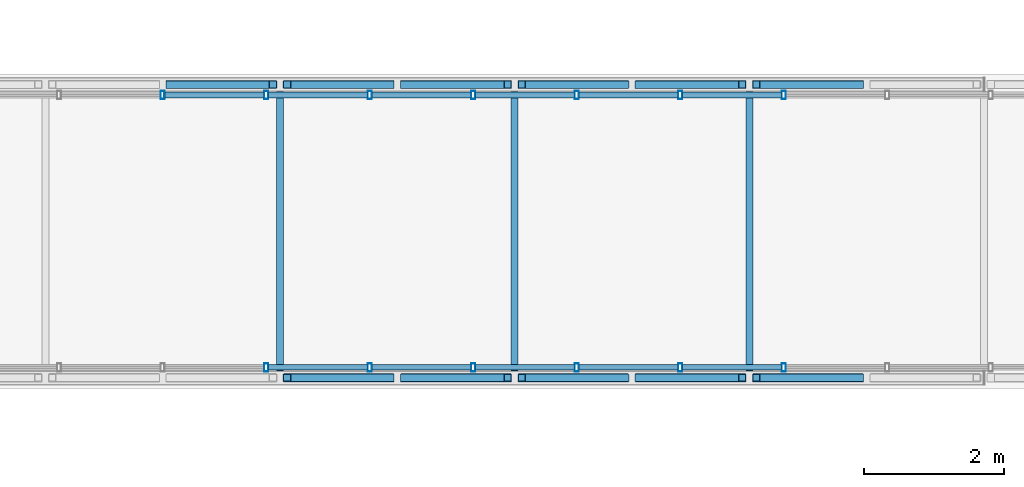
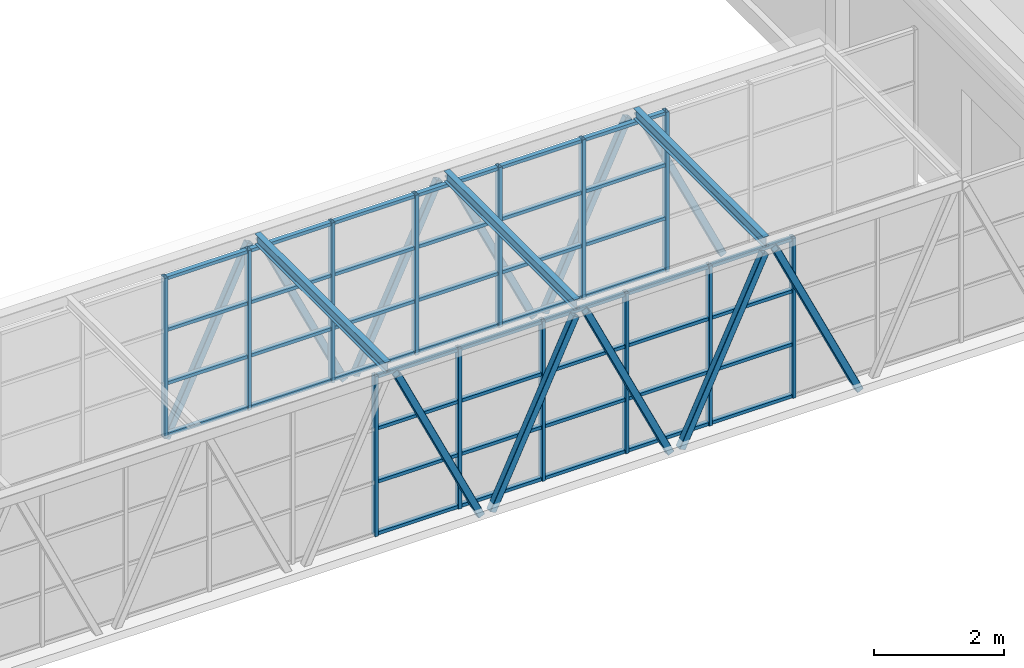
# One storey, part 58 of 149: 68 members, 3 beams, 2 elements without a shape of their own.
"""IFC4 building model written with IfcOpenShell, lengths in metres."""

from ifc_helpers import new_model, si_unit, direction, frame, origin, origin_2d, place, context, subcontext, project, spatial, hollow_rectangle, i_section, extrude, material, material_profile, profile_set, type_object, element, aggregate, save


model = new_model("IFC4")

# Units and contexts
model_context = context("Model", 3, precision=1e-05, world=origin(), true_north=direction((0.0, 1.0)))
body_context = subcontext(model_context, "Body", "Model", "MODEL_VIEW")
ifc_project = project(units=[si_unit("LENGTHUNIT", "METRE"), si_unit("AREAUNIT", "SQUARE_METRE"), si_unit("VOLUMEUNIT", "CUBIC_METRE"), si_unit("PLANEANGLEUNIT", "RADIAN"), si_unit("MASSUNIT", "GRAM", prefix="KILO")], contexts=[model_context])

# Site, building, storey
site_placement = place(None, origin())
site = spatial("IfcSite", under=ifc_project, at=site_placement, CompositionType="ELEMENT")
building_placement = place(site_placement, origin())
building = spatial("IfcBuilding", under=site, at=building_placement, Name="Kallimachos Central Library", CompositionType="ELEMENT")
storey_placement = place(building_placement, frame((0.0, 0.0, 9.89990234375)))
storey = spatial("IfcBuildingStorey", under=building, at=storey_placement, Name="L02", CompositionType="ELEMENT", Elevation=9.89990234375)

# Curtain wall, members
ifc_material_1 = material(Name="Aluminium and laminated glass", Category="aluminium")
curtain_wall_type = type_object("IfcCurtainWallType", Name="Link glazed wall", PredefinedType="NOTDEFINED", material=ifc_material_1)
curtain_wall_1_placement = place(storey_placement, origin())
curtain_wall_1 = element("IfcCurtainWall", 1, at=curtain_wall_1_placement, inside=storey, type_object=curtain_wall_type, Name="V1 to V3 bridge glazed side", PredefinedType="NOTDEFINED")
ifc_material_2 = material(Name="Anodised aluminium", Category="aluminium")
ifc_material_profile_1 = material_profile(ifc_material_2, hollow_rectangle(XDim=0.06005859375, YDim=0.1201171875, WallThickness=0.00390625, at=origin_2d()), Name="ALU MULLION 60x120")
ifc_profile_set_1 = profile_set([ifc_material_profile_1], Name="Anodised aluminium")
member_type_1 = type_object("IfcMemberType", Name="ALU MULLION 60x120 mullion", PredefinedType="MULLION", material=ifc_profile_set_1)
member_1_placement = place(storey_placement, frame((125.744384765625, 98.550048828125, 0.0), z_axis=(0.0, 0.0, 1.0), x_axis=(1.0, 0.0, 0.0)))
member_1 = element("IfcMember", 2, at=member_1_placement, type_object=member_type_1, Name="CW74 mullion 11", PredefinedType="MULLION", context=body_context, shape_type="SweptSolid", body=[
    extrude(hollow_rectangle(XDim=0.06005859375, YDim=0.1201171875, WallThickness=0.00390625, at=origin_2d()), origin(), (0.0, 0.0, 1.0), 3.0),
])
member_2_placement = place(storey_placement, frame((127.226318359375, 98.550048828125, 0.0), z_axis=(0.0, 0.0, 1.0), x_axis=(1.0, 0.0, 0.0)))
member_2 = element("IfcMember", 3, at=member_2_placement, type_object=member_type_1, Name="CW74 mullion 12", PredefinedType="MULLION", context=body_context, shape_type="SweptSolid", body=[
    extrude(hollow_rectangle(XDim=0.06005859375, YDim=0.1201171875, WallThickness=0.00390625, at=origin_2d()), origin(), (0.0, 0.0, 1.0), 3.0),
])
member_3_placement = place(storey_placement, frame((128.708251953125, 98.550048828125, 0.0), z_axis=(0.0, 0.0, 1.0), x_axis=(1.0, 0.0, 0.0)))
member_3 = element("IfcMember", 4, at=member_3_placement, type_object=member_type_1, Name="CW74 mullion 13", PredefinedType="MULLION", context=body_context, shape_type="SweptSolid", body=[
    extrude(hollow_rectangle(XDim=0.06005859375, YDim=0.1201171875, WallThickness=0.00390625, at=origin_2d()), origin(), (0.0, 0.0, 1.0), 3.0),
])
member_4_placement = place(storey_placement, frame((130.190185546875, 98.550048828125, 0.0), z_axis=(0.0, 0.0, 1.0), x_axis=(1.0, 0.0, 0.0)))
member_4 = element("IfcMember", 5, at=member_4_placement, type_object=member_type_1, Name="CW74 mullion 14", PredefinedType="MULLION", context=body_context, shape_type="SweptSolid", body=[
    extrude(hollow_rectangle(XDim=0.06005859375, YDim=0.1201171875, WallThickness=0.00390625, at=origin_2d()), origin(), (0.0, 0.0, 1.0), 3.0),
])
member_5_placement = place(storey_placement, frame((131.672119140625, 98.550048828125, 0.0), z_axis=(0.0, 0.0, 1.0), x_axis=(1.0, 0.0, 0.0)))
member_5 = element("IfcMember", 6, at=member_5_placement, type_object=member_type_1, Name="CW74 mullion 15", PredefinedType="MULLION", context=body_context, shape_type="SweptSolid", body=[
    extrude(hollow_rectangle(XDim=0.06005859375, YDim=0.1201171875, WallThickness=0.00390625, at=origin_2d()), origin(), (0.0, 0.0, 1.0), 3.0),
])
member_6_placement = place(storey_placement, frame((133.154052734375, 98.550048828125, 0.0), z_axis=(0.0, 0.0, 1.0), x_axis=(1.0, 0.0, 0.0)))
member_6 = element("IfcMember", 7, at=member_6_placement, type_object=member_type_1, Name="CW74 mullion 16", PredefinedType="MULLION", context=body_context, shape_type="SweptSolid", body=[
    extrude(hollow_rectangle(XDim=0.06005859375, YDim=0.1201171875, WallThickness=0.00390625, at=origin_2d()), origin(), (0.0, 0.0, 1.0), 3.0),
])

curtain_wall_2_placement = place(storey_placement, origin())
curtain_wall_2 = element("IfcCurtainWall", 8, at=curtain_wall_2_placement, inside=storey, type_object=curtain_wall_type, Name="V1 to V3 bridge glazed side", PredefinedType="NOTDEFINED")
member_7_placement = place(storey_placement, frame((124.262451171875, 102.449951171875, 0.0), z_axis=(0.0, 0.0, 1.0), x_axis=(1.0, 0.0, 0.0)))
member_7 = element("IfcMember", 9, at=member_7_placement, type_object=member_type_1, Name="CW75 mullion 10", PredefinedType="MULLION", context=body_context, shape_type="SweptSolid", body=[
    extrude(hollow_rectangle(XDim=0.06005859375, YDim=0.1201171875, WallThickness=0.00390625, at=origin_2d()), origin(), (0.0, 0.0, 1.0), 3.0),
])
member_8_placement = place(storey_placement, frame((125.744384765625, 102.449951171875, 0.0), z_axis=(0.0, 0.0, 1.0), x_axis=(1.0, 0.0, 0.0)))
member_8 = element("IfcMember", 10, at=member_8_placement, type_object=member_type_1, Name="CW75 mullion 11", PredefinedType="MULLION", context=body_context, shape_type="SweptSolid", body=[
    extrude(hollow_rectangle(XDim=0.06005859375, YDim=0.1201171875, WallThickness=0.00390625, at=origin_2d()), origin(), (0.0, 0.0, 1.0), 3.0),
])
member_9_placement = place(storey_placement, frame((127.226318359375, 102.449951171875, 0.0), z_axis=(0.0, 0.0, 1.0), x_axis=(1.0, 0.0, 0.0)))
member_9 = element("IfcMember", 11, at=member_9_placement, type_object=member_type_1, Name="CW75 mullion 12", PredefinedType="MULLION", context=body_context, shape_type="SweptSolid", body=[
    extrude(hollow_rectangle(XDim=0.06005859375, YDim=0.1201171875, WallThickness=0.00390625, at=origin_2d()), origin(), (0.0, 0.0, 1.0), 3.0),
])
member_10_placement = place(storey_placement, frame((128.708251953125, 102.449951171875, 0.0), z_axis=(0.0, 0.0, 1.0), x_axis=(1.0, 0.0, 0.0)))
member_10 = element("IfcMember", 12, at=member_10_placement, type_object=member_type_1, Name="CW75 mullion 13", PredefinedType="MULLION", context=body_context, shape_type="SweptSolid", body=[
    extrude(hollow_rectangle(XDim=0.06005859375, YDim=0.1201171875, WallThickness=0.00390625, at=origin_2d()), origin(), (0.0, 0.0, 1.0), 3.0),
])
member_11_placement = place(storey_placement, frame((130.190185546875, 102.449951171875, 0.0), z_axis=(0.0, 0.0, 1.0), x_axis=(1.0, 0.0, 0.0)))
member_11 = element("IfcMember", 13, at=member_11_placement, type_object=member_type_1, Name="CW75 mullion 14", PredefinedType="MULLION", context=body_context, shape_type="SweptSolid", body=[
    extrude(hollow_rectangle(XDim=0.06005859375, YDim=0.1201171875, WallThickness=0.00390625, at=origin_2d()), origin(), (0.0, 0.0, 1.0), 3.0),
])
member_12_placement = place(storey_placement, frame((131.672119140625, 102.449951171875, 0.0), z_axis=(0.0, 0.0, 1.0), x_axis=(1.0, 0.0, 0.0)))
member_12 = element("IfcMember", 14, at=member_12_placement, type_object=member_type_1, Name="CW75 mullion 15", PredefinedType="MULLION", context=body_context, shape_type="SweptSolid", body=[
    extrude(hollow_rectangle(XDim=0.06005859375, YDim=0.1201171875, WallThickness=0.00390625, at=origin_2d()), origin(), (0.0, 0.0, 1.0), 3.0),
])
member_13_placement = place(storey_placement, frame((133.154052734375, 102.449951171875, 0.0), z_axis=(0.0, 0.0, 1.0), x_axis=(1.0, 0.0, 0.0)))
member_13 = element("IfcMember", 15, at=member_13_placement, type_object=member_type_1, Name="CW75 mullion 16", PredefinedType="MULLION", context=body_context, shape_type="SweptSolid", body=[
    extrude(hollow_rectangle(XDim=0.06005859375, YDim=0.1201171875, WallThickness=0.00390625, at=origin_2d()), origin(), (0.0, 0.0, 1.0), 3.0),
])

# Member
ifc_material_3 = material(Name="Anodised aluminium", Category="aluminium")
ifc_material_profile_2 = material_profile(ifc_material_3, hollow_rectangle(XDim=0.06005859375, YDim=0.080078125, WallThickness=0.00390625, at=origin_2d()), Name="ALU TRANSOM 60x80")
ifc_profile_set_2 = profile_set([ifc_material_profile_2], Name="Anodised aluminium")
member_type_2 = type_object("IfcMemberType", Name="ALU TRANSOM 60x80 transom", PredefinedType="USERDEFINED", material=ifc_profile_set_2)
member_14_placement = place(storey_placement, frame((125.7744140625, 98.550048828125, 0.030029296875), z_axis=(1.0, 0.0, 0.0), x_axis=(0.0, 0.0, 1.0)))
member_14 = element("IfcMember", 16, at=member_14_placement, type_object=member_type_2, Name="CW74 transom 11.1", ObjectType="TRANSOM", PredefinedType="USERDEFINED", context=body_context, shape_type="SweptSolid", body=[
    extrude(hollow_rectangle(XDim=0.06005859375, YDim=0.080078125, WallThickness=0.00390625, at=origin_2d()), origin(), (0.0, 0.0, 1.0), 1.421875),
])

member_15_placement = place(storey_placement, frame((125.7744140625, 98.550048828125, 1.0), z_axis=(1.0, 0.0, 0.0), x_axis=(0.0, 0.0, 1.0)))
member_15 = element("IfcMember", 17, at=member_15_placement, type_object=member_type_2, Name="CW74 transom 11.2", ObjectType="TRANSOM", PredefinedType="USERDEFINED", context=body_context, shape_type="SweptSolid", body=[
    extrude(hollow_rectangle(XDim=0.06005859375, YDim=0.080078125, WallThickness=0.00390625, at=origin_2d()), origin(), (0.0, 0.0, 1.0), 1.421875),
])

member_16_placement = place(storey_placement, frame((125.7744140625, 98.550048828125, 2.0), z_axis=(1.0, 0.0, 0.0), x_axis=(0.0, 0.0, 1.0)))
member_16 = element("IfcMember", 18, at=member_16_placement, type_object=member_type_2, Name="CW74 transom 11.3", ObjectType="TRANSOM", PredefinedType="USERDEFINED", context=body_context, shape_type="SweptSolid", body=[
    extrude(hollow_rectangle(XDim=0.06005859375, YDim=0.080078125, WallThickness=0.00390625, at=origin_2d()), origin(), (0.0, 0.0, 1.0), 1.421875),
])

member_17_placement = place(storey_placement, frame((125.7744140625, 98.550048828125, 2.97021484375), z_axis=(1.0, 0.0, 0.0), x_axis=(0.0, 0.0, 1.0)))
member_17 = element("IfcMember", 19, at=member_17_placement, type_object=member_type_2, Name="CW74 transom 11.4", ObjectType="TRANSOM", PredefinedType="USERDEFINED", context=body_context, shape_type="SweptSolid", body=[
    extrude(hollow_rectangle(XDim=0.06005859375, YDim=0.080078125, WallThickness=0.00390625, at=origin_2d()), origin(), (0.0, 0.0, 1.0), 1.421875),
])

member_18_placement = place(storey_placement, frame((127.25634765625, 98.550048828125, 0.030029296875), z_axis=(1.0, 0.0, 0.0), x_axis=(0.0, 0.0, 1.0)))
member_18 = element("IfcMember", 20, at=member_18_placement, type_object=member_type_2, Name="CW74 transom 12.1", ObjectType="TRANSOM", PredefinedType="USERDEFINED", context=body_context, shape_type="SweptSolid", body=[
    extrude(hollow_rectangle(XDim=0.06005859375, YDim=0.080078125, WallThickness=0.00390625, at=origin_2d()), origin(), (0.0, 0.0, 1.0), 1.421875),
])

member_19_placement = place(storey_placement, frame((127.25634765625, 98.550048828125, 1.0), z_axis=(1.0, 0.0, 0.0), x_axis=(0.0, 0.0, 1.0)))
member_19 = element("IfcMember", 21, at=member_19_placement, type_object=member_type_2, Name="CW74 transom 12.2", ObjectType="TRANSOM", PredefinedType="USERDEFINED", context=body_context, shape_type="SweptSolid", body=[
    extrude(hollow_rectangle(XDim=0.06005859375, YDim=0.080078125, WallThickness=0.00390625, at=origin_2d()), origin(), (0.0, 0.0, 1.0), 1.421875),
])

member_20_placement = place(storey_placement, frame((127.25634765625, 98.550048828125, 2.0), z_axis=(1.0, 0.0, 0.0), x_axis=(0.0, 0.0, 1.0)))
member_20 = element("IfcMember", 22, at=member_20_placement, type_object=member_type_2, Name="CW74 transom 12.3", ObjectType="TRANSOM", PredefinedType="USERDEFINED", context=body_context, shape_type="SweptSolid", body=[
    extrude(hollow_rectangle(XDim=0.06005859375, YDim=0.080078125, WallThickness=0.00390625, at=origin_2d()), origin(), (0.0, 0.0, 1.0), 1.421875),
])

member_21_placement = place(storey_placement, frame((127.25634765625, 98.550048828125, 2.97021484375), z_axis=(1.0, 0.0, 0.0), x_axis=(0.0, 0.0, 1.0)))
member_21 = element("IfcMember", 23, at=member_21_placement, type_object=member_type_2, Name="CW74 transom 12.4", ObjectType="TRANSOM", PredefinedType="USERDEFINED", context=body_context, shape_type="SweptSolid", body=[
    extrude(hollow_rectangle(XDim=0.06005859375, YDim=0.080078125, WallThickness=0.00390625, at=origin_2d()), origin(), (0.0, 0.0, 1.0), 1.421875),
])

member_22_placement = place(storey_placement, frame((128.73828125, 98.550048828125, 0.030029296875), z_axis=(1.0, 0.0, 0.0), x_axis=(0.0, 0.0, 1.0)))
member_22 = element("IfcMember", 24, at=member_22_placement, type_object=member_type_2, Name="CW74 transom 13.1", ObjectType="TRANSOM", PredefinedType="USERDEFINED", context=body_context, shape_type="SweptSolid", body=[
    extrude(hollow_rectangle(XDim=0.06005859375, YDim=0.080078125, WallThickness=0.00390625, at=origin_2d()), origin(), (0.0, 0.0, 1.0), 1.421875),
])

member_23_placement = place(storey_placement, frame((128.73828125, 98.550048828125, 1.0), z_axis=(1.0, 0.0, 0.0), x_axis=(0.0, 0.0, 1.0)))
member_23 = element("IfcMember", 25, at=member_23_placement, type_object=member_type_2, Name="CW74 transom 13.2", ObjectType="TRANSOM", PredefinedType="USERDEFINED", context=body_context, shape_type="SweptSolid", body=[
    extrude(hollow_rectangle(XDim=0.06005859375, YDim=0.080078125, WallThickness=0.00390625, at=origin_2d()), origin(), (0.0, 0.0, 1.0), 1.421875),
])

member_24_placement = place(storey_placement, frame((128.73828125, 98.550048828125, 2.0), z_axis=(1.0, 0.0, 0.0), x_axis=(0.0, 0.0, 1.0)))
member_24 = element("IfcMember", 26, at=member_24_placement, type_object=member_type_2, Name="CW74 transom 13.3", ObjectType="TRANSOM", PredefinedType="USERDEFINED", context=body_context, shape_type="SweptSolid", body=[
    extrude(hollow_rectangle(XDim=0.06005859375, YDim=0.080078125, WallThickness=0.00390625, at=origin_2d()), origin(), (0.0, 0.0, 1.0), 1.421875),
])

member_25_placement = place(storey_placement, frame((128.73828125, 98.550048828125, 2.97021484375), z_axis=(1.0, 0.0, 0.0), x_axis=(0.0, 0.0, 1.0)))
member_25 = element("IfcMember", 27, at=member_25_placement, type_object=member_type_2, Name="CW74 transom 13.4", ObjectType="TRANSOM", PredefinedType="USERDEFINED", context=body_context, shape_type="SweptSolid", body=[
    extrude(hollow_rectangle(XDim=0.06005859375, YDim=0.080078125, WallThickness=0.00390625, at=origin_2d()), origin(), (0.0, 0.0, 1.0), 1.421875),
])

member_26_placement = place(storey_placement, frame((130.22021484375, 98.550048828125, 0.030029296875), z_axis=(1.0, 0.0, 0.0), x_axis=(0.0, 0.0, 1.0)))
member_26 = element("IfcMember", 28, at=member_26_placement, type_object=member_type_2, Name="CW74 transom 14.1", ObjectType="TRANSOM", PredefinedType="USERDEFINED", context=body_context, shape_type="SweptSolid", body=[
    extrude(hollow_rectangle(XDim=0.06005859375, YDim=0.080078125, WallThickness=0.00390625, at=origin_2d()), origin(), (0.0, 0.0, 1.0), 1.422119140625),
])

member_27_placement = place(storey_placement, frame((130.22021484375, 98.550048828125, 1.0), z_axis=(1.0, 0.0, 0.0), x_axis=(0.0, 0.0, 1.0)))
member_27 = element("IfcMember", 29, at=member_27_placement, type_object=member_type_2, Name="CW74 transom 14.2", ObjectType="TRANSOM", PredefinedType="USERDEFINED", context=body_context, shape_type="SweptSolid", body=[
    extrude(hollow_rectangle(XDim=0.06005859375, YDim=0.080078125, WallThickness=0.00390625, at=origin_2d()), origin(), (0.0, 0.0, 1.0), 1.422119140625),
])

member_28_placement = place(storey_placement, frame((130.22021484375, 98.550048828125, 2.0), z_axis=(1.0, 0.0, 0.0), x_axis=(0.0, 0.0, 1.0)))
member_28 = element("IfcMember", 30, at=member_28_placement, type_object=member_type_2, Name="CW74 transom 14.3", ObjectType="TRANSOM", PredefinedType="USERDEFINED", context=body_context, shape_type="SweptSolid", body=[
    extrude(hollow_rectangle(XDim=0.06005859375, YDim=0.080078125, WallThickness=0.00390625, at=origin_2d()), origin(), (0.0, 0.0, 1.0), 1.422119140625),
])

member_29_placement = place(storey_placement, frame((130.22021484375, 98.550048828125, 2.97021484375), z_axis=(1.0, 0.0, 0.0), x_axis=(0.0, 0.0, 1.0)))
member_29 = element("IfcMember", 31, at=member_29_placement, type_object=member_type_2, Name="CW74 transom 14.4", ObjectType="TRANSOM", PredefinedType="USERDEFINED", context=body_context, shape_type="SweptSolid", body=[
    extrude(hollow_rectangle(XDim=0.06005859375, YDim=0.080078125, WallThickness=0.00390625, at=origin_2d()), origin(), (0.0, 0.0, 1.0), 1.422119140625),
])

member_30_placement = place(storey_placement, frame((131.7021484375, 98.550048828125, 0.030029296875), z_axis=(1.0, 0.0, 0.0), x_axis=(0.0, 0.0, 1.0)))
member_30 = element("IfcMember", 32, at=member_30_placement, type_object=member_type_2, Name="CW74 transom 15.1", ObjectType="TRANSOM", PredefinedType="USERDEFINED", context=body_context, shape_type="SweptSolid", body=[
    extrude(hollow_rectangle(XDim=0.06005859375, YDim=0.080078125, WallThickness=0.00390625, at=origin_2d()), origin(), (0.0, 0.0, 1.0), 1.422119140625),
])

member_31_placement = place(storey_placement, frame((131.7021484375, 98.550048828125, 1.0), z_axis=(1.0, 0.0, 0.0), x_axis=(0.0, 0.0, 1.0)))
member_31 = element("IfcMember", 33, at=member_31_placement, type_object=member_type_2, Name="CW74 transom 15.2", ObjectType="TRANSOM", PredefinedType="USERDEFINED", context=body_context, shape_type="SweptSolid", body=[
    extrude(hollow_rectangle(XDim=0.06005859375, YDim=0.080078125, WallThickness=0.00390625, at=origin_2d()), origin(), (0.0, 0.0, 1.0), 1.422119140625),
])

member_32_placement = place(storey_placement, frame((131.7021484375, 98.550048828125, 2.0), z_axis=(1.0, 0.0, 0.0), x_axis=(0.0, 0.0, 1.0)))
member_32 = element("IfcMember", 34, at=member_32_placement, type_object=member_type_2, Name="CW74 transom 15.3", ObjectType="TRANSOM", PredefinedType="USERDEFINED", context=body_context, shape_type="SweptSolid", body=[
    extrude(hollow_rectangle(XDim=0.06005859375, YDim=0.080078125, WallThickness=0.00390625, at=origin_2d()), origin(), (0.0, 0.0, 1.0), 1.422119140625),
])

member_33_placement = place(storey_placement, frame((131.7021484375, 98.550048828125, 2.97021484375), z_axis=(1.0, 0.0, 0.0), x_axis=(0.0, 0.0, 1.0)))
member_33 = element("IfcMember", 35, at=member_33_placement, type_object=member_type_2, Name="CW74 transom 15.4", ObjectType="TRANSOM", PredefinedType="USERDEFINED", context=body_context, shape_type="SweptSolid", body=[
    extrude(hollow_rectangle(XDim=0.06005859375, YDim=0.080078125, WallThickness=0.00390625, at=origin_2d()), origin(), (0.0, 0.0, 1.0), 1.422119140625),
])

aggregate(curtain_wall_1, [member_1, member_2, member_3, member_4, member_5, member_6, member_14, member_15, member_16, member_17, member_18, member_19, member_20, member_21, member_22, member_23, member_24, member_25, member_26, member_27, member_28, member_29, member_30, member_31, member_32, member_33])

member_34_placement = place(storey_placement, frame((124.29248046875, 102.449951171875, 0.030029296875), z_axis=(1.0, 0.0, 0.0), x_axis=(0.0, 0.0, 1.0)))
member_34 = element("IfcMember", 36, at=member_34_placement, type_object=member_type_2, Name="CW75 transom 10.1", ObjectType="TRANSOM", PredefinedType="USERDEFINED", context=body_context, shape_type="SweptSolid", body=[
    extrude(hollow_rectangle(XDim=0.06005859375, YDim=0.080078125, WallThickness=0.00390625, at=origin_2d()), origin(), (0.0, 0.0, 1.0), 1.421875),
])

member_35_placement = place(storey_placement, frame((124.29248046875, 102.449951171875, 1.0), z_axis=(1.0, 0.0, 0.0), x_axis=(0.0, 0.0, 1.0)))
member_35 = element("IfcMember", 37, at=member_35_placement, type_object=member_type_2, Name="CW75 transom 10.2", ObjectType="TRANSOM", PredefinedType="USERDEFINED", context=body_context, shape_type="SweptSolid", body=[
    extrude(hollow_rectangle(XDim=0.06005859375, YDim=0.080078125, WallThickness=0.00390625, at=origin_2d()), origin(), (0.0, 0.0, 1.0), 1.421875),
])

member_36_placement = place(storey_placement, frame((124.29248046875, 102.449951171875, 2.0), z_axis=(1.0, 0.0, 0.0), x_axis=(0.0, 0.0, 1.0)))
member_36 = element("IfcMember", 38, at=member_36_placement, type_object=member_type_2, Name="CW75 transom 10.3", ObjectType="TRANSOM", PredefinedType="USERDEFINED", context=body_context, shape_type="SweptSolid", body=[
    extrude(hollow_rectangle(XDim=0.06005859375, YDim=0.080078125, WallThickness=0.00390625, at=origin_2d()), origin(), (0.0, 0.0, 1.0), 1.421875),
])

member_37_placement = place(storey_placement, frame((124.29248046875, 102.449951171875, 2.97021484375), z_axis=(1.0, 0.0, 0.0), x_axis=(0.0, 0.0, 1.0)))
member_37 = element("IfcMember", 39, at=member_37_placement, type_object=member_type_2, Name="CW75 transom 10.4", ObjectType="TRANSOM", PredefinedType="USERDEFINED", context=body_context, shape_type="SweptSolid", body=[
    extrude(hollow_rectangle(XDim=0.06005859375, YDim=0.080078125, WallThickness=0.00390625, at=origin_2d()), origin(), (0.0, 0.0, 1.0), 1.421875),
])

member_38_placement = place(storey_placement, frame((125.7744140625, 102.449951171875, 0.030029296875), z_axis=(1.0, 0.0, 0.0), x_axis=(0.0, 0.0, 1.0)))
member_38 = element("IfcMember", 40, at=member_38_placement, type_object=member_type_2, Name="CW75 transom 11.1", ObjectType="TRANSOM", PredefinedType="USERDEFINED", context=body_context, shape_type="SweptSolid", body=[
    extrude(hollow_rectangle(XDim=0.06005859375, YDim=0.080078125, WallThickness=0.00390625, at=origin_2d()), origin(), (0.0, 0.0, 1.0), 1.421875),
])

member_39_placement = place(storey_placement, frame((125.7744140625, 102.449951171875, 1.0), z_axis=(1.0, 0.0, 0.0), x_axis=(0.0, 0.0, 1.0)))
member_39 = element("IfcMember", 41, at=member_39_placement, type_object=member_type_2, Name="CW75 transom 11.2", ObjectType="TRANSOM", PredefinedType="USERDEFINED", context=body_context, shape_type="SweptSolid", body=[
    extrude(hollow_rectangle(XDim=0.06005859375, YDim=0.080078125, WallThickness=0.00390625, at=origin_2d()), origin(), (0.0, 0.0, 1.0), 1.421875),
])

member_40_placement = place(storey_placement, frame((125.7744140625, 102.449951171875, 2.0), z_axis=(1.0, 0.0, 0.0), x_axis=(0.0, 0.0, 1.0)))
member_40 = element("IfcMember", 42, at=member_40_placement, type_object=member_type_2, Name="CW75 transom 11.3", ObjectType="TRANSOM", PredefinedType="USERDEFINED", context=body_context, shape_type="SweptSolid", body=[
    extrude(hollow_rectangle(XDim=0.06005859375, YDim=0.080078125, WallThickness=0.00390625, at=origin_2d()), origin(), (0.0, 0.0, 1.0), 1.421875),
])

member_41_placement = place(storey_placement, frame((125.7744140625, 102.449951171875, 2.97021484375), z_axis=(1.0, 0.0, 0.0), x_axis=(0.0, 0.0, 1.0)))
member_41 = element("IfcMember", 43, at=member_41_placement, type_object=member_type_2, Name="CW75 transom 11.4", ObjectType="TRANSOM", PredefinedType="USERDEFINED", context=body_context, shape_type="SweptSolid", body=[
    extrude(hollow_rectangle(XDim=0.06005859375, YDim=0.080078125, WallThickness=0.00390625, at=origin_2d()), origin(), (0.0, 0.0, 1.0), 1.421875),
])

member_42_placement = place(storey_placement, frame((127.25634765625, 102.449951171875, 0.030029296875), z_axis=(1.0, 0.0, 0.0), x_axis=(0.0, 0.0, 1.0)))
member_42 = element("IfcMember", 44, at=member_42_placement, type_object=member_type_2, Name="CW75 transom 12.1", ObjectType="TRANSOM", PredefinedType="USERDEFINED", context=body_context, shape_type="SweptSolid", body=[
    extrude(hollow_rectangle(XDim=0.06005859375, YDim=0.080078125, WallThickness=0.00390625, at=origin_2d()), origin(), (0.0, 0.0, 1.0), 1.421875),
])

member_43_placement = place(storey_placement, frame((127.25634765625, 102.449951171875, 1.0), z_axis=(1.0, 0.0, 0.0), x_axis=(0.0, 0.0, 1.0)))
member_43 = element("IfcMember", 45, at=member_43_placement, type_object=member_type_2, Name="CW75 transom 12.2", ObjectType="TRANSOM", PredefinedType="USERDEFINED", context=body_context, shape_type="SweptSolid", body=[
    extrude(hollow_rectangle(XDim=0.06005859375, YDim=0.080078125, WallThickness=0.00390625, at=origin_2d()), origin(), (0.0, 0.0, 1.0), 1.421875),
])

member_44_placement = place(storey_placement, frame((127.25634765625, 102.449951171875, 2.0), z_axis=(1.0, 0.0, 0.0), x_axis=(0.0, 0.0, 1.0)))
member_44 = element("IfcMember", 46, at=member_44_placement, type_object=member_type_2, Name="CW75 transom 12.3", ObjectType="TRANSOM", PredefinedType="USERDEFINED", context=body_context, shape_type="SweptSolid", body=[
    extrude(hollow_rectangle(XDim=0.06005859375, YDim=0.080078125, WallThickness=0.00390625, at=origin_2d()), origin(), (0.0, 0.0, 1.0), 1.421875),
])

member_45_placement = place(storey_placement, frame((127.25634765625, 102.449951171875, 2.97021484375), z_axis=(1.0, 0.0, 0.0), x_axis=(0.0, 0.0, 1.0)))
member_45 = element("IfcMember", 47, at=member_45_placement, type_object=member_type_2, Name="CW75 transom 12.4", ObjectType="TRANSOM", PredefinedType="USERDEFINED", context=body_context, shape_type="SweptSolid", body=[
    extrude(hollow_rectangle(XDim=0.06005859375, YDim=0.080078125, WallThickness=0.00390625, at=origin_2d()), origin(), (0.0, 0.0, 1.0), 1.421875),
])

member_46_placement = place(storey_placement, frame((128.73828125, 102.449951171875, 0.030029296875), z_axis=(1.0, 0.0, 0.0), x_axis=(0.0, 0.0, 1.0)))
member_46 = element("IfcMember", 48, at=member_46_placement, type_object=member_type_2, Name="CW75 transom 13.1", ObjectType="TRANSOM", PredefinedType="USERDEFINED", context=body_context, shape_type="SweptSolid", body=[
    extrude(hollow_rectangle(XDim=0.06005859375, YDim=0.080078125, WallThickness=0.00390625, at=origin_2d()), origin(), (0.0, 0.0, 1.0), 1.421875),
])

member_47_placement = place(storey_placement, frame((128.73828125, 102.449951171875, 1.0), z_axis=(1.0, 0.0, 0.0), x_axis=(0.0, 0.0, 1.0)))
member_47 = element("IfcMember", 49, at=member_47_placement, type_object=member_type_2, Name="CW75 transom 13.2", ObjectType="TRANSOM", PredefinedType="USERDEFINED", context=body_context, shape_type="SweptSolid", body=[
    extrude(hollow_rectangle(XDim=0.06005859375, YDim=0.080078125, WallThickness=0.00390625, at=origin_2d()), origin(), (0.0, 0.0, 1.0), 1.421875),
])

member_48_placement = place(storey_placement, frame((128.73828125, 102.449951171875, 2.0), z_axis=(1.0, 0.0, 0.0), x_axis=(0.0, 0.0, 1.0)))
member_48 = element("IfcMember", 50, at=member_48_placement, type_object=member_type_2, Name="CW75 transom 13.3", ObjectType="TRANSOM", PredefinedType="USERDEFINED", context=body_context, shape_type="SweptSolid", body=[
    extrude(hollow_rectangle(XDim=0.06005859375, YDim=0.080078125, WallThickness=0.00390625, at=origin_2d()), origin(), (0.0, 0.0, 1.0), 1.421875),
])

member_49_placement = place(storey_placement, frame((128.73828125, 102.449951171875, 2.97021484375), z_axis=(1.0, 0.0, 0.0), x_axis=(0.0, 0.0, 1.0)))
member_49 = element("IfcMember", 51, at=member_49_placement, type_object=member_type_2, Name="CW75 transom 13.4", ObjectType="TRANSOM", PredefinedType="USERDEFINED", context=body_context, shape_type="SweptSolid", body=[
    extrude(hollow_rectangle(XDim=0.06005859375, YDim=0.080078125, WallThickness=0.00390625, at=origin_2d()), origin(), (0.0, 0.0, 1.0), 1.421875),
])

member_50_placement = place(storey_placement, frame((130.22021484375, 102.449951171875, 0.030029296875), z_axis=(1.0, 0.0, 0.0), x_axis=(0.0, 0.0, 1.0)))
member_50 = element("IfcMember", 52, at=member_50_placement, type_object=member_type_2, Name="CW75 transom 14.1", ObjectType="TRANSOM", PredefinedType="USERDEFINED", context=body_context, shape_type="SweptSolid", body=[
    extrude(hollow_rectangle(XDim=0.06005859375, YDim=0.080078125, WallThickness=0.00390625, at=origin_2d()), origin(), (0.0, 0.0, 1.0), 1.422119140625),
])

member_51_placement = place(storey_placement, frame((130.22021484375, 102.449951171875, 1.0), z_axis=(1.0, 0.0, 0.0), x_axis=(0.0, 0.0, 1.0)))
member_51 = element("IfcMember", 53, at=member_51_placement, type_object=member_type_2, Name="CW75 transom 14.2", ObjectType="TRANSOM", PredefinedType="USERDEFINED", context=body_context, shape_type="SweptSolid", body=[
    extrude(hollow_rectangle(XDim=0.06005859375, YDim=0.080078125, WallThickness=0.00390625, at=origin_2d()), origin(), (0.0, 0.0, 1.0), 1.422119140625),
])

member_52_placement = place(storey_placement, frame((130.22021484375, 102.449951171875, 2.0), z_axis=(1.0, 0.0, 0.0), x_axis=(0.0, 0.0, 1.0)))
member_52 = element("IfcMember", 54, at=member_52_placement, type_object=member_type_2, Name="CW75 transom 14.3", ObjectType="TRANSOM", PredefinedType="USERDEFINED", context=body_context, shape_type="SweptSolid", body=[
    extrude(hollow_rectangle(XDim=0.06005859375, YDim=0.080078125, WallThickness=0.00390625, at=origin_2d()), origin(), (0.0, 0.0, 1.0), 1.422119140625),
])

member_53_placement = place(storey_placement, frame((130.22021484375, 102.449951171875, 2.97021484375), z_axis=(1.0, 0.0, 0.0), x_axis=(0.0, 0.0, 1.0)))
member_53 = element("IfcMember", 55, at=member_53_placement, type_object=member_type_2, Name="CW75 transom 14.4", ObjectType="TRANSOM", PredefinedType="USERDEFINED", context=body_context, shape_type="SweptSolid", body=[
    extrude(hollow_rectangle(XDim=0.06005859375, YDim=0.080078125, WallThickness=0.00390625, at=origin_2d()), origin(), (0.0, 0.0, 1.0), 1.422119140625),
])

member_54_placement = place(storey_placement, frame((131.7021484375, 102.449951171875, 0.030029296875), z_axis=(1.0, 0.0, 0.0), x_axis=(0.0, 0.0, 1.0)))
member_54 = element("IfcMember", 56, at=member_54_placement, type_object=member_type_2, Name="CW75 transom 15.1", ObjectType="TRANSOM", PredefinedType="USERDEFINED", context=body_context, shape_type="SweptSolid", body=[
    extrude(hollow_rectangle(XDim=0.06005859375, YDim=0.080078125, WallThickness=0.00390625, at=origin_2d()), origin(), (0.0, 0.0, 1.0), 1.422119140625),
])

member_55_placement = place(storey_placement, frame((131.7021484375, 102.449951171875, 1.0), z_axis=(1.0, 0.0, 0.0), x_axis=(0.0, 0.0, 1.0)))
member_55 = element("IfcMember", 57, at=member_55_placement, type_object=member_type_2, Name="CW75 transom 15.2", ObjectType="TRANSOM", PredefinedType="USERDEFINED", context=body_context, shape_type="SweptSolid", body=[
    extrude(hollow_rectangle(XDim=0.06005859375, YDim=0.080078125, WallThickness=0.00390625, at=origin_2d()), origin(), (0.0, 0.0, 1.0), 1.422119140625),
])

member_56_placement = place(storey_placement, frame((131.7021484375, 102.449951171875, 2.0), z_axis=(1.0, 0.0, 0.0), x_axis=(0.0, 0.0, 1.0)))
member_56 = element("IfcMember", 58, at=member_56_placement, type_object=member_type_2, Name="CW75 transom 15.3", ObjectType="TRANSOM", PredefinedType="USERDEFINED", context=body_context, shape_type="SweptSolid", body=[
    extrude(hollow_rectangle(XDim=0.06005859375, YDim=0.080078125, WallThickness=0.00390625, at=origin_2d()), origin(), (0.0, 0.0, 1.0), 1.422119140625),
])

member_57_placement = place(storey_placement, frame((131.7021484375, 102.449951171875, 2.97021484375), z_axis=(1.0, 0.0, 0.0), x_axis=(0.0, 0.0, 1.0)))
member_57 = element("IfcMember", 59, at=member_57_placement, type_object=member_type_2, Name="CW75 transom 15.4", ObjectType="TRANSOM", PredefinedType="USERDEFINED", context=body_context, shape_type="SweptSolid", body=[
    extrude(hollow_rectangle(XDim=0.06005859375, YDim=0.080078125, WallThickness=0.00390625, at=origin_2d()), origin(), (0.0, 0.0, 1.0), 1.422119140625),
])

aggregate(curtain_wall_2, [member_7, member_8, member_9, member_10, member_11, member_12, member_13, member_34, member_35, member_36, member_37, member_38, member_39, member_40, member_41, member_42, member_43, member_44, member_45, member_46, member_47, member_48, member_49, member_50, member_51, member_52, member_53, member_54, member_55, member_56, member_57])

# Beams
ifc_material_4 = material(Name="Steel S355J2", Category="steel")
ifc_material_profile_3 = material_profile(ifc_material_4, i_section(OverallWidth=0.10009765625, OverallDepth=0.199951171875, WebThickness=0.005615234375, FlangeThickness=0.008544921875, FilletRadius=0.011962890625, at=origin_2d()), Name="IPE 200")
ifc_profile_set_3 = profile_set([ifc_material_profile_3], Name="Steel S355J2")
beam_type = type_object("IfcBeamType", Name="IPE 200 beam", PredefinedType="BEAM", material=ifc_profile_set_3)
for number, where, z_axis, x_axis, name in (
    (60, (125.942138671875, 98.5, 3.10009765625), (0.0, 1.0, 0.0), (-1.0, 0.0, 0.0), "B-E roof cross beam"),
    (61, (129.301513671875, 98.5, 3.10009765625), (0.0, 1.0, 0.0), (-1.0, 0.0, 0.0), "B-E roof cross beam"),
    (62, (132.660888671875, 98.5, 3.10009765625), (0.0, 1.0, 0.0), (-1.0, 0.0, 0.0), "B-E roof cross beam"),
):
    element("IfcBeam", number, at=place(storey_placement, frame(where, z_axis=z_axis, x_axis=x_axis)), inside=storey, type_object=beam_type, Name=name, PredefinedType="BEAM", context=body_context, shape_type="SweptSolid", body=[
        extrude(i_section(OverallWidth=0.10009765625, OverallDepth=0.199951171875, WebThickness=0.005615234375, FlangeThickness=0.008544921875, FilletRadius=0.011962890625, at=origin_2d()), origin(), (0.0, 0.0, 1.0), 4.0),
    ])

# Members
ifc_material_5 = material(Name="Steel S355J2H", Category="steel")
ifc_material_profile_4 = material_profile(ifc_material_5, hollow_rectangle(XDim=0.1201171875, YDim=0.1201171875, WallThickness=0.008056640625, InnerFilletRadius=0.008056640625, OuterFilletRadius=0.011962890625, at=origin_2d()), Name="SHS 120x120x8")
ifc_profile_set_4 = profile_set([ifc_material_profile_4], Name="Steel S355J2H")
member_type_3 = type_object("IfcMemberType", Name="SHS 120x120x8 web", PredefinedType="BRACE", material=ifc_profile_set_4)
for number, where, z_axis, x_axis, name in (
    (63, (126.042236328125, 98.39990234375, 3.0), (0.425192201844, 0.0, -0.905103083351), (0.0, 1.0, 0.0), "links-MEM-L02-045"),
    (64, (127.721923828125, 98.39990234375, -0.14990234375), (0.425192201844, 0.0, 0.905103083351), (0.0, 1.0, 0.0), "links-MEM-L02-046"),
    (65, (129.401611328125, 98.39990234375, 3.0), (0.425192201844, 0.0, -0.905103083351), (0.0, 1.0, 0.0), "links-MEM-L02-047"),
    (66, (131.081298828125, 98.39990234375, -0.14990234375), (0.425192201844, 0.0, 0.905103083351), (0.0, 1.0, 0.0), "links-MEM-L02-048"),
    (67, (132.760986328125, 98.39990234375, 3.0), (0.425192201844, 0.0, -0.905103083351), (0.0, 1.0, 0.0), "links-MEM-L02-049"),
    (68, (124.362548828125, 102.60009765625, -0.14990234375), (0.425192201844, 0.0, 0.905103083351), (0.0, 1.0, 0.0), "links-MEM-L02-061"),
    (69, (126.042236328125, 102.60009765625, 3.0), (0.425192201844, 0.0, -0.905103083351), (0.0, 1.0, 0.0), "links-MEM-L02-062"),
    (70, (127.721923828125, 102.60009765625, -0.14990234375), (0.425192201844, 0.0, 0.905103083351), (0.0, 1.0, 0.0), "links-MEM-L02-063"),
    (71, (129.401611328125, 102.60009765625, 3.0), (0.425192201844, 0.0, -0.905103083351), (0.0, 1.0, 0.0), "links-MEM-L02-064"),
    (72, (131.081298828125, 102.60009765625, -0.14990234375), (0.425192201844, 0.0, 0.905103083351), (0.0, 1.0, 0.0), "links-MEM-L02-065"),
    (73, (132.760986328125, 102.60009765625, 3.0), (0.425192201844, 0.0, -0.905103083351), (0.0, 1.0, 0.0), "links-MEM-L02-066"),
):
    element("IfcMember", number, at=place(storey_placement, frame(where, z_axis=z_axis, x_axis=x_axis)), inside=storey, type_object=member_type_3, Name=name, PredefinedType="BRACE", context=body_context, shape_type="SweptSolid", body=[
        extrude(hollow_rectangle(XDim=0.1201171875, YDim=0.1201171875, WallThickness=0.008056640625, InnerFilletRadius=0.008056640625, OuterFilletRadius=0.011962890625, at=origin_2d()), origin(), (0.0, 0.0, 1.0), 3.480224609375),
    ])

save(model, "model.ifc")
